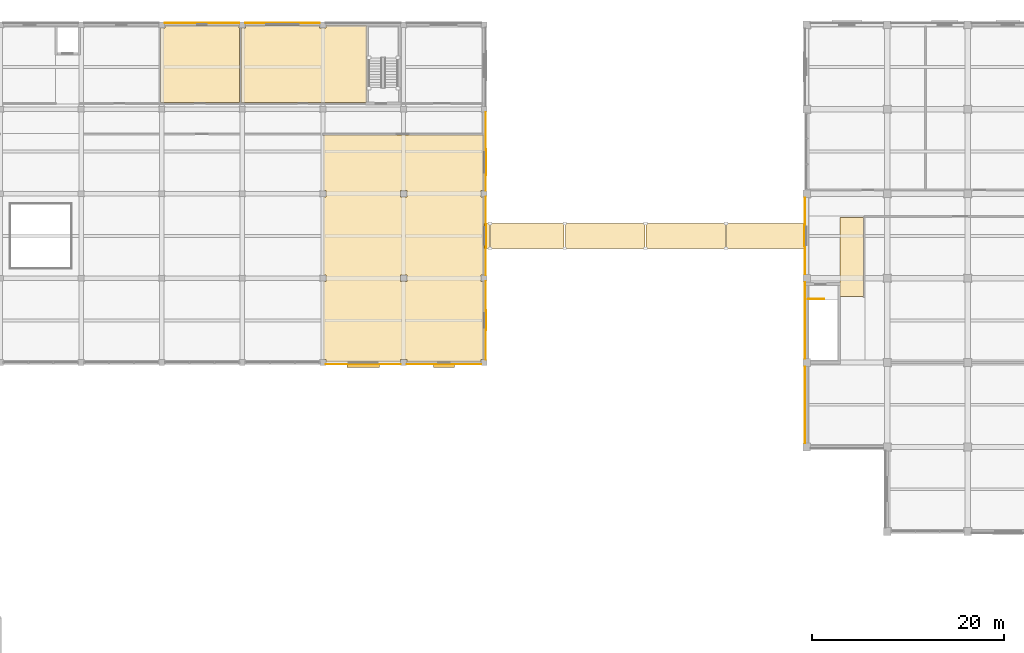
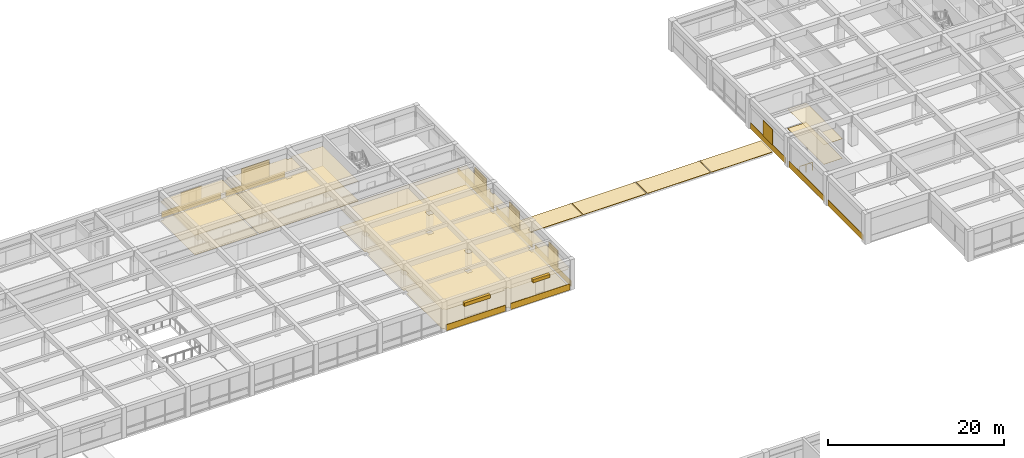
# One storey, part 42 of 46: 23 coverings, 8 shading devices, 1 railing.
"""IFC4 building model written with IfcOpenShell, lengths in metres."""

import ifcopenshell
import ifcopenshell.guid

model = None  # the IFC model being written
_history = None  # IfcOwnerHistory: only IFC2X3 demands one
_inside = {}  # id of a spatial element -> (the spatial element, [elements in it])
_under = {}  # id of a project, library or spatial element -> (it, [spatial elements below it])
_declared = {}  # id of a project -> (the project, [libraries it declares])
_typed = {}  # id of a type object -> (the type object, [elements of that type])
_made_of = {}  # id of a material, layer set ... -> (it, [elements and type objects made of it])


def new_model(schema):
    """Start an empty IFC model of exactly this schema.

    Asked for "IFC4X3", IfcOpenShell would pick the latest addendum, in which some entities
    have other attributes; the version numbers below select the first issue.
    IFC2X3 requires an IfcOwnerHistory on every rooted entity: one is made here for all.
    """
    global model, _history
    if schema == "IFC4X3":
        model = ifcopenshell.file(schema_version=(4, 3, 0, 0))
    else:
        model = ifcopenshell.file(schema=schema)
    _inside.clear()
    _under.clear()
    _declared.clear()
    _typed.clear()
    _made_of.clear()
    _history = None
    if model.schema == "IFC2X3":
        org = make("IfcOrganization", Name="unknown")
        user = make(
            "IfcPersonAndOrganization",
            ThePerson=make("IfcPerson", FamilyName="unknown"),
            TheOrganization=org,
        )
        app = make(
            "IfcApplication",
            ApplicationDeveloper=org,
            Version="unknown",
            ApplicationFullName="unknown",
            ApplicationIdentifier="unknown",
        )
        _history = make(
            "IfcOwnerHistory",
            OwningUser=user,
            OwningApplication=app,
            ChangeAction="ADDED",
            CreationDate=0,
        )
    return model


def make(cls, **values):
    """One entity of the class cls with the attributes given. An attribute that is None is left unset."""
    return model.create_entity(
        cls, **{name: value for name, value in values.items() if value is not None}
    )


def rooted(cls, **values):
    """An entity with a GlobalId (a new one), such as an element, a storey or a relation."""
    return make(cls, GlobalId=ifcopenshell.guid.new(), OwnerHistory=_history, **values)


def si_unit(unit_type, name, prefix=None):
    """IfcSIUnit, for example si_unit("LENGTHUNIT", "METRE", prefix="MILLI")."""
    return make("IfcSIUnit", UnitType=unit_type, Prefix=prefix, Name=name)


def assignment(units):
    """IfcUnitAssignment: the units of a project."""
    return None if units is None else make("IfcUnitAssignment", Units=units)


def point(xyz):
    """IfcCartesianPoint."""
    return None if xyz is None else make("IfcCartesianPoint", Coordinates=xyz)


def direction(xyz):
    """IfcDirection."""
    return None if xyz is None else make("IfcDirection", DirectionRatios=xyz)


def frame(location, z_axis=None, x_axis=None):
    """IfcAxis2Placement3D, a coordinate frame: its origin and axes. An axis left out is left unset."""
    return make(
        "IfcAxis2Placement3D",
        Location=point(location),
        Axis=direction(z_axis),
        RefDirection=direction(x_axis),
    )


def frame_2d(location, x_axis=None):
    """IfcAxis2Placement2D, a coordinate frame in the plane: its origin and x axis."""
    return make(
        "IfcAxis2Placement2D", Location=point(location), RefDirection=direction(x_axis)
    )


def origin():
    """The frame at (0, 0, 0) with its axes left unset."""
    return frame((0.0, 0.0, 0.0))


def origin_2d():
    """The frame at (0, 0) in the plane with its x axis left unset."""
    return frame_2d((0.0, 0.0))


def place(relative_to, where):
    """IfcLocalPlacement: puts the frame where relative to a parent placement (None: the world)."""
    return make(
        "IfcLocalPlacement", PlacementRelTo=relative_to, RelativePlacement=where
    )


def context(
    kind, dimensions, precision=None, world=None, true_north=None, identifier=None
):
    """IfcGeometricRepresentationContext, for example the 3D "Model" context."""
    return make(
        "IfcGeometricRepresentationContext",
        ContextIdentifier=identifier,
        ContextType=kind,
        CoordinateSpaceDimension=dimensions,
        Precision=precision,
        WorldCoordinateSystem=world,
        TrueNorth=true_north,
    )


def subcontext(parent, identifier, kind, view, scale=None):
    """IfcGeometricRepresentationSubContext, for example "Body" below "Model"."""
    return make(
        "IfcGeometricRepresentationSubContext",
        ContextIdentifier=identifier,
        ContextType=kind,
        ParentContext=parent,
        TargetScale=scale,
        TargetView=view,
    )


def project(units=None, contexts=None):
    """IfcProject with its units and contexts."""
    return rooted(
        "IfcProject",
        Name="project",
        RepresentationContexts=contexts,
        UnitsInContext=assignment(units),
    )


def spatial(cls, under=None, at=None, **own):
    """A site, building, storey or space (cls), placed at a placement, below another one or the project."""
    s = rooted(cls, ObjectPlacement=at, **own)
    if under is not None:
        _under.setdefault(under.id(), (under, []))[1].append(s)
    return s


def polyline(points):
    """IfcPolyline through the points."""
    return make("IfcPolyline", Points=[point(p) for p in points])


def profile(cls, at=None, kind="AREA", **sizes):
    """A parametric profile (cls). Its sizes go by their IFC names, for example OverallWidth=200.0."""
    return make(cls, ProfileType=kind, Position=at, **sizes)


def rectangle(**sizes):
    """IfcRectangleProfileDef."""
    return profile("IfcRectangleProfileDef", **sizes)


def circle(**sizes):
    """IfcCircleProfileDef."""
    return profile("IfcCircleProfileDef", **sizes)


def outline(outer, holes=None, kind="AREA"):
    """IfcArbitraryClosedProfileDef: a profile drawn as a closed curve; with holes, ...WithVoids."""
    if holes is None:
        return make("IfcArbitraryClosedProfileDef", ProfileType=kind, OuterCurve=outer)
    return make(
        "IfcArbitraryProfileDefWithVoids",
        ProfileType=kind,
        OuterCurve=outer,
        InnerCurves=holes,
    )


def extrude(swept, where, along, depth):
    """IfcExtrudedAreaSolid: the profile swept, set in the frame where, extruded along a direction by depth."""
    return make(
        "IfcExtrudedAreaSolid",
        SweptArea=swept,
        Position=where,
        ExtrudedDirection=direction(along),
        Depth=depth,
    )


def shape(context_of_items, identifier, shape_type, items):
    """IfcShapeRepresentation: the items that make up one representation, for example the "Body"."""
    return make(
        "IfcShapeRepresentation",
        ContextOfItems=context_of_items,
        RepresentationIdentifier=identifier,
        RepresentationType=shape_type,
        Items=items,
    )


def material(Name=None, Category=None):
    """IfcMaterial."""
    return make("IfcMaterial", Name=Name, Category=Category)


def layer(
    of_material, thickness, ventilated=None, Name=None, Category=None, Priority=None
):
    """IfcMaterialLayer: one layer of a wall or slab, of a material (None: an air gap)."""
    return make(
        "IfcMaterialLayer",
        Material=of_material,
        LayerThickness=thickness,
        IsVentilated=ventilated,
        Name=Name,
        Category=Category,
        Priority=Priority,
    )


def layer_set(layers, Name=None):
    """IfcMaterialLayerSet."""
    return make("IfcMaterialLayerSet", MaterialLayers=layers, LayerSetName=Name)


def made_of(thing, what):
    """Note that an element or type object is made of a material, layer set ...; save() writes the relation."""
    if what is not None:
        _made_of.setdefault(what.id(), (what, []))[1].append(thing)
    return thing


def type_object(cls, material=None, **own):
    """A type object (cls), such as IfcWallType, which elements share."""
    return made_of(rooted(cls, **own), material)


def element(
    cls,
    number,
    at=None,
    inside=None,
    cuts=None,
    type_object=None,
    material=None,
    context=None,
    identifier="Body",
    shape_type=None,
    held_by="IfcProductDefinitionShape",
    body=None,
    shapes=None,
    **own,
):
    """One element of the class cls, such as IfcWall. Its Tag is "e" and its number.

    at: its placement. inside: the storey or other place that contains it. cuts: it is an
    opening in that element (IfcRelVoidsElement). A single representation is given by context,
    identifier, shape_type and body (its items); several are given by shapes. held_by: the class
    of the entity that holds the representations. save() writes the other relations.
    """
    e = rooted(cls, Tag="e%d" % number, ObjectPlacement=at, **own)
    if body is not None:
        shapes = [shape(context, identifier, shape_type, body)]
    if shapes is not None:
        e.Representation = make(held_by, Representations=shapes)
    if inside is not None:
        _inside.setdefault(inside.id(), (inside, []))[1].append(e)
    if cuts is not None:
        rooted(
            "IfcRelVoidsElement", RelatingBuildingElement=cuts, RelatedOpeningElement=e
        )
    if type_object is not None:
        _typed.setdefault(type_object.id(), (type_object, []))[1].append(e)
    return made_of(e, material)


def aggregate(whole, parts):
    """IfcRelAggregates: a whole, such as a stair, and the parts it consists of."""
    return rooted("IfcRelAggregates", RelatingObject=whole, RelatedObjects=parts)


def save(model, path):
    """Write the relations noted so far, then the file.

    IfcRelAggregates (storeys below a building ...), IfcRelContainedInSpatialStructure (elements
    in a storey), IfcRelDefinesByType, IfcRelAssociatesMaterial and IfcRelDeclares: one each for
    every whole, place, type object, material and project.
    """
    for whole, parts in _under.values():
        aggregate(whole, parts)
    for where, things in _inside.values():
        rooted(
            "IfcRelContainedInSpatialStructure",
            RelatedElements=things,
            RelatingStructure=where,
        )
    for kind, things in _typed.values():
        rooted("IfcRelDefinesByType", RelatedObjects=things, RelatingType=kind)
    for what, things in _made_of.values():
        rooted("IfcRelAssociatesMaterial", RelatedObjects=things, RelatingMaterial=what)
    for by, libraries in _declared.values():
        rooted("IfcRelDeclares", RelatingContext=by, RelatedDefinitions=libraries)
    model.write(path)


model = new_model("IFC4")

# Units and contexts
model_context = context("Model", 3, precision=1e-05, world=origin(), true_north=direction((0.0, 1.0)))
body_context = subcontext(model_context, "Body", "Model", "MODEL_VIEW")
ifc_project = project(units=[si_unit("LENGTHUNIT", "METRE"), si_unit("AREAUNIT", "SQUARE_METRE"), si_unit("VOLUMEUNIT", "CUBIC_METRE"), si_unit("PLANEANGLEUNIT", "RADIAN"), si_unit("MASSUNIT", "GRAM", prefix="KILO")], contexts=[model_context])

# Site, building, storey
site_placement = place(None, origin())
site = spatial("IfcSite", under=ifc_project, at=site_placement, CompositionType="ELEMENT")
building_placement = place(site_placement, origin())
building = spatial("IfcBuilding", under=site, at=building_placement, Name="Kemercrest Conservatory and Botanical Centre", CompositionType="ELEMENT")
storey_placement = place(building_placement, frame((0.0, 0.0, 9.0)))
storey = spatial("IfcBuildingStorey", under=building, at=storey_placement, Name="L02", CompositionType="ELEMENT", Elevation=9.0)

# Coverings
ifc_material_1 = material(Name="Honed limestone almasik ashlar rainscreen", Category="masonry")
ifc_layer_1 = layer(ifc_material_1, 0.0400390625)
ifc_layer_set_1 = layer_set([ifc_layer_1], Name="Honed limestone almasik ashlar rainscreen")
covering_type_1 = type_object("IfcCoveringType", Name="CV-CLD040", PredefinedType="CLADDING", material=ifc_layer_set_1)
covering_1_placement = place(storey_placement, origin())
element("IfcCovering", 1, at=covering_1_placement, inside=storey, type_object=covering_type_1, Name="Exterior stone spandrel cladding (WAL:L02:EXT-119)", PredefinedType="CLADDING", context=body_context, shape_type="SweptSolid", body=[
    extrude(outline(polyline([(75.510009765625, 87.050048828125), (75.510009765625, 87.010009765625), (83.2900390625, 87.010009765625), (83.2900390625, 87.050048828125), (75.510009765625, 87.050048828125)])), origin(), (0.0, 0.0, 1.0), 0.85009765625),
])
covering_2_placement = place(storey_placement, origin())
element("IfcCovering", 2, at=covering_2_placement, inside=storey, type_object=covering_type_1, Name="Exterior stone spandrel cladding (WAL:L02:EXT-120)", PredefinedType="CLADDING", context=body_context, shape_type="SweptSolid", body=[
    extrude(outline(polyline([(83.909912109375, 87.050048828125), (83.909912109375, 87.010009765625), (91.68994140625, 87.010009765625), (91.68994140625, 87.050048828125), (83.909912109375, 87.050048828125)])), origin(), (0.0, 0.0, 1.0), 0.85009765625),
])
covering_3_placement = place(storey_placement, origin())
element("IfcCovering", 3, at=covering_3_placement, inside=storey, type_object=covering_type_1, Name="Exterior stone spandrel cladding (WAL:L02:EXT-121)", PredefinedType="CLADDING", context=body_context, shape_type="SweptSolid", body=[
    extrude(outline(polyline([(92.14990234375, 87.510009765625), (92.18994140625, 87.510009765625), (92.18994140625, 95.68994140625), (92.14990234375, 95.68994140625), (92.14990234375, 87.510009765625)])), origin(), (0.0, 0.0, 1.0), 0.85009765625),
])
covering_4_placement = place(storey_placement, origin())
element("IfcCovering", 4, at=covering_4_placement, inside=storey, type_object=covering_type_1, Name="Exterior stone spandrel cladding (WAL:L02:EXT-122)", PredefinedType="CLADDING", context=body_context, shape_type="SweptSolid", body=[
    extrude(outline(polyline([(92.14990234375, 96.31005859375), (92.18994140625, 96.31005859375), (92.18994140625, 104.489990234375), (92.14990234375, 104.489990234375), (92.14990234375, 96.31005859375)])), origin(), (0.0, 0.0, 1.0), 0.85009765625),
])
covering_5_placement = place(storey_placement, origin())
element("IfcCovering", 5, at=covering_5_placement, inside=storey, type_object=covering_type_1, Name="Exterior stone spandrel cladding (WAL:L02:EXT-123)", PredefinedType="CLADDING", context=body_context, shape_type="SweptSolid", body=[
    extrude(outline(polyline([(92.14990234375, 105.110107421875), (92.18994140625, 105.110107421875), (92.18994140625, 113.2900390625), (92.14990234375, 113.2900390625), (92.14990234375, 105.110107421875)])), origin(), (0.0, 0.0, 1.0), 0.85009765625),
])
covering_6_placement = place(storey_placement, origin())
element("IfcCovering", 6, at=covering_6_placement, inside=storey, type_object=covering_type_1, Name="Exterior stone spandrel cladding (WAL:L02:EXT-127)", PredefinedType="CLADDING", context=body_context, shape_type="SweptSolid", body=[
    extrude(outline(polyline([(74.889892578125, 122.550048828125), (74.889892578125, 122.590087890625), (67.110107421875, 122.590087890625), (67.110107421875, 122.550048828125), (74.889892578125, 122.550048828125)])), origin(), (0.0, 0.0, 1.0), 0.85009765625),
])
covering_7_placement = place(storey_placement, origin())
element("IfcCovering", 7, at=covering_7_placement, inside=storey, type_object=covering_type_1, Name="Exterior stone spandrel cladding (WAL:L02:EXT-128)", PredefinedType="CLADDING", context=body_context, shape_type="SweptSolid", body=[
    extrude(outline(polyline([(66.489990234375, 122.550048828125), (66.489990234375, 122.590087890625), (58.7099609375, 122.590087890625), (58.7099609375, 122.550048828125), (66.489990234375, 122.550048828125)])), origin(), (0.0, 0.0, 1.0), 0.85009765625),
])
covering_8_placement = place(storey_placement, origin())
element("IfcCovering", 8, at=covering_8_placement, inside=storey, type_object=covering_type_1, Name="Exterior stone spandrel cladding (WAL:L02:EXT-205)", PredefinedType="CLADDING", context=body_context, shape_type="SweptSolid", body=[
    extrude(outline(polyline([(125.449951171875, 104.389892578125), (125.409912109375, 104.389892578125), (125.409912109375, 96.409912109375), (125.449951171875, 96.409912109375), (125.449951171875, 104.389892578125)])), origin(), (0.0, 0.0, 1.0), 0.85009765625),
])
covering_9_placement = place(storey_placement, origin())
element("IfcCovering", 9, at=covering_9_placement, inside=storey, type_object=covering_type_1, Name="Exterior stone spandrel cladding (WAL:L02:EXT-206)", PredefinedType="CLADDING", context=body_context, shape_type="SweptSolid", body=[
    extrude(outline(polyline([(125.449951171875, 95.590087890625), (125.409912109375, 95.590087890625), (125.409912109375, 87.610107421875), (125.449951171875, 87.610107421875), (125.449951171875, 95.590087890625)])), origin(), (0.0, 0.0, 1.0), 0.85009765625),
])
covering_10_placement = place(storey_placement, origin())
element("IfcCovering", 10, at=covering_10_placement, inside=storey, type_object=covering_type_1, Name="Exterior stone spandrel cladding (WAL:L02:EXT-207)", PredefinedType="CLADDING", context=body_context, shape_type="SweptSolid", body=[
    extrude(outline(polyline([(125.449951171875, 86.7900390625), (125.409912109375, 86.7900390625), (125.409912109375, 78.81005859375), (125.449951171875, 78.81005859375), (125.449951171875, 86.7900390625)])), origin(), (0.0, 0.0, 1.0), 0.85009765625),
])
ifc_material_2 = material(Name="Perforated acoustic gypsum and mineral-fibre suspended ceiling", Category="gypsum")
ifc_layer_2 = layer(ifc_material_2, 0.034912109375)
ifc_layer_set_2 = layer_set([ifc_layer_2], Name="Perforated acoustic gypsum and mineral-fibre suspended ceiling")
covering_type_2 = type_object("IfcCoveringType", Name="CV-CLG035", PredefinedType="CEILING", material=ifc_layer_set_2)
covering_11_placement = place(storey_placement, frame((0.0, 0.0, 2.699951171875)))
element("IfcCovering", 11, at=covering_11_placement, inside=storey, type_object=covering_type_2, Name="Specimen Preparation Laboratory suspended acoustic ceiling", PredefinedType="CEILING", context=body_context, shape_type="SweptSolid", body=[
    extrude(outline(polyline([(83.260009765625, 87.5400390625), (83.93994140625, 87.5400390625), (83.93994140625, 87.280029296875), (91.659912109375, 87.280029296875), (91.659912109375, 87.5400390625), (91.919921875, 87.5400390625), (91.919921875, 95.659912109375), (91.659912109375, 95.659912109375), (91.659912109375, 96.340087890625), (91.919921875, 96.340087890625), (91.919921875, 104.4599609375), (91.659912109375, 104.4599609375), (91.659912109375, 105.139892578125), (91.919921875, 105.139892578125), (91.919921875, 110.919921875), (75.280029296875, 110.919921875), (75.280029296875, 105.139892578125), (75.5400390625, 105.139892578125), (75.5400390625, 104.4599609375), (75.280029296875, 104.4599609375), (75.280029296875, 96.340087890625), (75.5400390625, 96.340087890625), (75.5400390625, 95.659912109375), (75.280029296875, 95.659912109375), (75.280029296875, 87.5400390625), (75.5400390625, 87.5400390625), (75.5400390625, 87.280029296875), (83.260009765625, 87.280029296875), (83.260009765625, 87.5400390625)]), holes=[polyline([(83.93994140625, 95.659912109375), (83.260009765625, 95.659912109375), (83.260009765625, 96.340087890625), (83.93994140625, 96.340087890625), (83.93994140625, 95.659912109375)]), polyline([(83.93994140625, 104.4599609375), (83.260009765625, 104.4599609375), (83.260009765625, 105.139892578125), (83.93994140625, 105.139892578125), (83.93994140625, 104.4599609375)])]), origin(), (0.0, 0.0, 1.0), 0.03515625),
])
covering_12_placement = place(storey_placement, frame((0.0, 0.0, 2.699951171875)))
element("IfcCovering", 12, at=covering_12_placement, inside=storey, type_object=covering_type_2, Name="Accessible Washroom suspended acoustic ceiling", PredefinedType="CEILING", context=body_context, shape_type="SweptSolid", body=[
    extrude(outline(polyline([(58.280029296875, 114.280029296875), (66.52001953125, 114.280029296875), (66.52001953125, 122.06005859375), (66.4599609375, 122.06005859375), (66.4599609375, 122.320068359375), (58.739990234375, 122.320068359375), (58.739990234375, 122.06005859375), (58.280029296875, 122.06005859375), (58.280029296875, 114.280029296875)])), origin(), (0.0, 0.0, 1.0), 0.03515625),
])
covering_13_placement = place(storey_placement, frame((0.0, 0.0, 2.699951171875)))
element("IfcCovering", 13, at=covering_13_placement, inside=storey, type_object=covering_type_2, Name="Exhibition Conservation Studio suspended acoustic ceiling", PredefinedType="CEILING", context=body_context, shape_type="SweptSolid", body=[
    extrude(outline(polyline([(66.679931640625, 114.280029296875), (79.719970703125, 114.280029296875), (79.719970703125, 122.320068359375), (75.5400390625, 122.320068359375), (75.5400390625, 122.06005859375), (74.860107421875, 122.06005859375), (74.860107421875, 122.320068359375), (67.139892578125, 122.320068359375), (67.139892578125, 122.06005859375), (66.679931640625, 122.06005859375), (66.679931640625, 114.280029296875)])), origin(), (0.0, 0.0, 1.0), 0.03515625),
])
covering_14_placement = place(storey_placement, frame((0.0, 0.0, 2.699951171875)))
element("IfcCovering", 14, at=covering_14_placement, inside=storey, type_object=covering_type_2, Name="West Stair Corridor suspended acoustic ceiling", PredefinedType="CEILING", context=body_context, shape_type="SweptSolid", body=[
    extrude(outline(polyline([(129.080078125, 94.080078125), (131.52001953125, 94.080078125), (131.52001953125, 102.320068359375), (129.080078125, 102.320068359375), (129.080078125, 94.080078125)])), origin(), (0.0, 0.0, 1.0), 0.03515625),
])
ifc_material_3 = material(Name="Polished limestone terrazzo and seamless laboratory epoxy flooring", Category="masonry")
ifc_layer_3 = layer(ifc_material_3, 0.02001953125)
ifc_layer_set_3 = layer_set([ifc_layer_3], Name="Polished limestone terrazzo and seamless laboratory epoxy flooring")
covering_type_3 = type_object("IfcCoveringType", Name="CV-FLR020", PredefinedType="FLOORING", material=ifc_layer_set_3)
covering_15_placement = place(storey_placement, origin())
element("IfcCovering", 15, at=covering_15_placement, inside=storey, type_object=covering_type_3, Name="Specimen Preparation Laboratory floor finish", PredefinedType="FLOORING", context=body_context, shape_type="SweptSolid", body=[
    extrude(outline(polyline([(83.260009765625, 87.5400390625), (83.93994140625, 87.5400390625), (83.93994140625, 87.280029296875), (91.659912109375, 87.280029296875), (91.659912109375, 87.5400390625), (91.919921875, 87.5400390625), (91.919921875, 95.659912109375), (91.659912109375, 95.659912109375), (91.659912109375, 96.340087890625), (91.919921875, 96.340087890625), (91.919921875, 104.4599609375), (91.659912109375, 104.4599609375), (91.659912109375, 105.139892578125), (91.919921875, 105.139892578125), (91.919921875, 110.919921875), (75.280029296875, 110.919921875), (75.280029296875, 105.139892578125), (75.5400390625, 105.139892578125), (75.5400390625, 104.4599609375), (75.280029296875, 104.4599609375), (75.280029296875, 96.340087890625), (75.5400390625, 96.340087890625), (75.5400390625, 95.659912109375), (75.280029296875, 95.659912109375), (75.280029296875, 87.5400390625), (75.5400390625, 87.5400390625), (75.5400390625, 87.280029296875), (83.260009765625, 87.280029296875), (83.260009765625, 87.5400390625)]), holes=[polyline([(83.93994140625, 95.659912109375), (83.260009765625, 95.659912109375), (83.260009765625, 96.340087890625), (83.93994140625, 96.340087890625), (83.93994140625, 95.659912109375)]), polyline([(83.93994140625, 104.4599609375), (83.260009765625, 104.4599609375), (83.260009765625, 105.139892578125), (83.93994140625, 105.139892578125), (83.93994140625, 104.4599609375)])]), origin(), (0.0, 0.0, 1.0), 0.02001953125),
])
covering_16_placement = place(storey_placement, origin())
element("IfcCovering", 16, at=covering_16_placement, inside=storey, type_object=covering_type_3, Name="Accessible Washroom floor finish", PredefinedType="FLOORING", context=body_context, shape_type="SweptSolid", body=[
    extrude(outline(polyline([(58.280029296875, 114.280029296875), (66.52001953125, 114.280029296875), (66.52001953125, 122.06005859375), (66.4599609375, 122.06005859375), (66.4599609375, 122.320068359375), (58.739990234375, 122.320068359375), (58.739990234375, 122.06005859375), (58.280029296875, 122.06005859375), (58.280029296875, 114.280029296875)])), origin(), (0.0, 0.0, 1.0), 0.02001953125),
])
covering_17_placement = place(storey_placement, origin())
element("IfcCovering", 17, at=covering_17_placement, inside=storey, type_object=covering_type_3, Name="Exhibition Conservation Studio floor finish", PredefinedType="FLOORING", context=body_context, shape_type="SweptSolid", body=[
    extrude(outline(polyline([(66.679931640625, 114.280029296875), (79.719970703125, 114.280029296875), (79.719970703125, 122.320068359375), (75.5400390625, 122.320068359375), (75.5400390625, 122.06005859375), (74.860107421875, 122.06005859375), (74.860107421875, 122.320068359375), (67.139892578125, 122.320068359375), (67.139892578125, 122.06005859375), (66.679931640625, 122.06005859375), (66.679931640625, 114.280029296875)])), origin(), (0.0, 0.0, 1.0), 0.02001953125),
])
covering_18_placement = place(storey_placement, origin())
element("IfcCovering", 18, at=covering_18_placement, inside=storey, type_object=covering_type_3, Name="West Stair Corridor floor finish", PredefinedType="FLOORING", context=body_context, shape_type="SweptSolid", body=[
    extrude(outline(polyline([(129.080078125, 94.080078125), (131.52001953125, 94.080078125), (131.52001953125, 102.320068359375), (129.080078125, 102.320068359375), (129.080078125, 94.080078125)])), origin(), (0.0, 0.0, 1.0), 0.02001953125),
])
ifc_material_4 = material(Name="SBS modified bitumen insulated roofing membrane", Category="roofing")
ifc_layer_4 = layer(ifc_material_4, 0.06005859375)
ifc_layer_set_4 = layer_set([ifc_layer_4], Name="SBS modified bitumen insulated roofing membrane")
covering_type_4 = type_object("IfcCoveringType", Name="CV-RFG060", PredefinedType="ROOFING", material=ifc_layer_set_4)
covering_19_placement = place(storey_placement, origin())
element("IfcCovering", 19, at=covering_19_placement, inside=storey, type_object=covering_type_4, Name="Insulated roof membrane covering (North Courtyard Covered Passage SJ-3 L02 span 1 slab)", PredefinedType="ROOFING", context=body_context, shape_type="SweptSolid", body=[
    extrude(outline(polyline([(92.0, 99.10009765625), (92.5400390625, 99.10009765625), (92.5400390625, 101.699951171875), (92.0, 101.699951171875), (92.0, 99.10009765625)])), origin(), (0.0, 0.0, 1.0), 0.06005859375),
])
covering_20_placement = place(storey_placement, origin())
element("IfcCovering", 20, at=covering_20_placement, inside=storey, type_object=covering_type_4, Name="Insulated roof membrane covering (North Courtyard Covered Passage SJ-3 L02 span 2 slab)", PredefinedType="ROOFING", context=body_context, shape_type="SweptSolid", body=[
    extrude(outline(polyline([(92.659912109375, 99.10009765625), (100.340087890625, 99.10009765625), (100.340087890625, 101.699951171875), (92.659912109375, 101.699951171875), (92.659912109375, 99.10009765625)])), origin(), (0.0, 0.0, 1.0), 0.06005859375),
])
covering_21_placement = place(storey_placement, origin())
element("IfcCovering", 21, at=covering_21_placement, inside=storey, type_object=covering_type_4, Name="Insulated roof membrane covering (North Courtyard Covered Passage SJ-3 L02 span 3 slab)", PredefinedType="ROOFING", context=body_context, shape_type="SweptSolid", body=[
    extrude(outline(polyline([(100.4599609375, 99.10009765625), (108.739990234375, 99.10009765625), (108.739990234375, 101.699951171875), (100.4599609375, 101.699951171875), (100.4599609375, 99.10009765625)])), origin(), (0.0, 0.0, 1.0), 0.06005859375),
])
covering_22_placement = place(storey_placement, origin())
element("IfcCovering", 22, at=covering_22_placement, inside=storey, type_object=covering_type_4, Name="Insulated roof membrane covering (North Courtyard Covered Passage SJ-3 L02 span 4 slab)", PredefinedType="ROOFING", context=body_context, shape_type="SweptSolid", body=[
    extrude(outline(polyline([(108.860107421875, 99.10009765625), (117.139892578125, 99.10009765625), (117.139892578125, 101.699951171875), (108.860107421875, 101.699951171875), (108.860107421875, 99.10009765625)])), origin(), (0.0, 0.0, 1.0), 0.06005859375),
])
covering_23_placement = place(storey_placement, origin())
element("IfcCovering", 23, at=covering_23_placement, inside=storey, type_object=covering_type_4, Name="Insulated roof membrane covering (North Courtyard Covered Passage SJ-3 L02 span 5 slab)", PredefinedType="ROOFING", context=body_context, shape_type="SweptSolid", body=[
    extrude(outline(polyline([(117.260009765625, 99.10009765625), (125.25, 99.10009765625), (125.25, 101.699951171875), (117.260009765625, 101.699951171875), (117.260009765625, 99.10009765625)])), origin(), (0.0, 0.0, 1.0), 0.06005859375),
])

# Railing
ifc_material_5 = material(Name="Painted galvanized steel tubular stair guardrail", Category="steel")
railing_type = type_object("IfcRailingType", Name="GR-STR110", PredefinedType="GUARDRAIL", material=ifc_material_5)
railing_placement = place(storey_placement, frame((125.760009765625, 93.81005859375, 0.0)))
element("IfcRailing", 24, at=railing_placement, inside=storey, type_object=railing_type, Name="L02 ST-V4C top well guard 1", PredefinedType="GUARDRAIL", context=body_context, shape_type="SweptSolid", body=[
    extrude(circle(Radius=0.02392578125, at=origin_2d()), frame((0.0, 0.0, 1.076171875), z_axis=(1.0, 0.0, 0.0), x_axis=(0.0, 1.0, 0.0)), (0.0, 0.0, 1.0), 1.679931640625),
    extrude(circle(Radius=0.02099609375, at=origin_2d()), origin(), (0.0, 0.0, 1.0), 1.052001953125),
    extrude(circle(Radius=0.02099609375, at=origin_2d()), frame((0.83984375, 0.0, 0.0)), (0.0, 0.0, 1.0), 1.052001953125),
    extrude(circle(Radius=0.02099609375, at=origin_2d()), frame((1.679931640625, 0.0, 0.0)), (0.0, 0.0, 1.0), 1.052001953125),
])

# Shading devices
ifc_material_6 = material(Name="Architectural bronze-anodized extruded aluminium", Category="aluminium")
shading_device_type_1 = type_object("IfcShadingDeviceType", Name="SH-JL01", PredefinedType="JALOUSIE", material=ifc_material_6)
shading_device_1_placement = place(storey_placement, frame((87.800048828125, 86.876953125, 2.90478515625), z_axis=(0.0, 0.0, 1.0), x_axis=(1.0, 0.0, 0.0)))
element("IfcShadingDevice", 25, at=shading_device_1_placement, inside=storey, type_object=shading_device_type_1, Name="Solar control louvre visor SH-JL01 (WIN:L02:EXT-120)", PredefinedType="JALOUSIE", context=body_context, shape_type="SweptSolid", body=[
    extrude(rectangle(XDim=2.199951171875, YDim=0.35009765625, at=origin_2d()), origin(), (0.0, 0.0, 1.0), 0.449951171875),
])
shading_device_type_2 = type_object("IfcShadingDeviceType", Name="SH-JL05", PredefinedType="JALOUSIE", material=ifc_material_6)
shading_device_2_placement = place(storey_placement, frame((79.39990234375, 86.876953125, 2.780029296875), z_axis=(0.0, 0.0, 1.0), x_axis=(1.0, 0.0, 0.0)))
element("IfcShadingDevice", 26, at=shading_device_2_placement, inside=storey, type_object=shading_device_type_2, Name="Solar control louvre visor SH-JL05 (WIN:L02:EXT-119)", PredefinedType="JALOUSIE", context=body_context, shape_type="SweptSolid", body=[
    extrude(rectangle(XDim=3.39990234375, YDim=0.35009765625, at=origin_2d()), origin(), (0.0, 0.0, 1.0), 0.5),
])
ifc_material_7 = material(Name="Perforated bronze-anodized aluminium", Category="aluminium")
shading_device_type_3 = type_object("IfcShadingDeviceType", Name="SH-MS01", PredefinedType="USERDEFINED", material=ifc_material_7)
shading_device_3_placement = place(storey_placement, frame((125.412109375, 100.39990234375, 0.81982421875), z_axis=(0.0, 0.0, 1.0), x_axis=(0.0, -1.0, 0.0)))
element("IfcShadingDevice", 27, at=shading_device_3_placement, inside=storey, type_object=shading_device_type_3, Name="Ottoman mashrabiya perforated screen SH-MS01 (WIN:L02:EXT-205)", ObjectType="MASHRABIYA SCREEN", PredefinedType="USERDEFINED", context=body_context, shape_type="SweptSolid", body=[
    extrude(rectangle(XDim=2.199951171875, YDim=0.080078125, at=origin_2d()), origin(), (0.0, 0.0, 1.0), 2.139892578125),
])
shading_device_type_4 = type_object("IfcShadingDeviceType", Name="SH-MS02", PredefinedType="USERDEFINED", material=ifc_material_7)
shading_device_4_placement = place(storey_placement, frame((92.18798828125, 91.60009765625, 0.85009765625), z_axis=(0.0, 0.0, 1.0), x_axis=(0.0, 1.0, 0.0)))
element("IfcShadingDevice", 28, at=shading_device_4_placement, inside=storey, type_object=shading_device_type_4, Name="Ottoman mashrabiya perforated screen SH-MS02 (WIN:L02:EXT-121)", ObjectType="MASHRABIYA SCREEN", PredefinedType="USERDEFINED", context=body_context, shape_type="SweptSolid", body=[
    extrude(rectangle(XDim=2.10009765625, YDim=0.080078125, at=origin_2d()), origin(), (0.0, 0.0, 1.0), 2.300048828125),
])
shading_device_type_5 = type_object("IfcShadingDeviceType", Name="SH-MS03", PredefinedType="USERDEFINED", material=ifc_material_7)
shading_device_5_placement = place(storey_placement, frame((92.18798828125, 100.39990234375, 0.824951171875), z_axis=(0.0, 0.0, 1.0), x_axis=(0.0, 1.0, 0.0)))
element("IfcShadingDevice", 29, at=shading_device_5_placement, inside=storey, type_object=shading_device_type_5, Name="Ottoman mashrabiya perforated screen SH-MS03 (WIN:L02:EXT-122)", ObjectType="MASHRABIYA SCREEN", PredefinedType="USERDEFINED", context=body_context, shape_type="SweptSolid", body=[
    extrude(rectangle(XDim=2.39990234375, YDim=0.080078125, at=origin_2d()), origin(), (0.0, 0.0, 1.0), 2.39990234375),
])
shading_device_6_placement = place(storey_placement, frame((71.0, 122.587890625, 0.820068359375), z_axis=(0.0, 0.0, 1.0), x_axis=(-1.0, 0.0, 0.0)))
element("IfcShadingDevice", 30, at=shading_device_6_placement, inside=storey, type_object=shading_device_type_5, Name="Ottoman mashrabiya perforated screen SH-MS03 (WIN:L02:EXT-127)", ObjectType="MASHRABIYA SCREEN", PredefinedType="USERDEFINED", context=body_context, shape_type="SweptSolid", body=[
    extrude(rectangle(XDim=3.679931640625, YDim=0.080078125, at=origin_2d()), origin(), (0.0, 0.0, 1.0), 2.31005859375),
])
shading_device_type_6 = type_object("IfcShadingDeviceType", Name="SH-MS04", PredefinedType="USERDEFINED", material=ifc_material_7)
shading_device_7_placement = place(storey_placement, frame((92.18798828125, 108.054931640625, 0.820068359375), z_axis=(0.0, 0.0, 1.0), x_axis=(0.0, 1.0, 0.0)))
element("IfcShadingDevice", 31, at=shading_device_7_placement, inside=storey, type_object=shading_device_type_6, Name="Ottoman mashrabiya perforated screen SH-MS04 (WIN:L02:EXT-123)", ObjectType="MASHRABIYA SCREEN", PredefinedType="USERDEFINED", context=body_context, shape_type="SweptSolid", body=[
    extrude(rectangle(XDim=2.699951171875, YDim=0.080078125, at=origin_2d()), origin(), (0.0, 0.0, 1.0), 2.4599609375),
])
shading_device_8_placement = place(storey_placement, frame((62.60009765625, 122.587890625, 0.81982421875), z_axis=(0.0, 0.0, 1.0), x_axis=(-1.0, 0.0, 0.0)))
element("IfcShadingDevice", 32, at=shading_device_8_placement, inside=storey, type_object=shading_device_type_6, Name="Ottoman mashrabiya perforated screen SH-MS04 (WIN:L02:EXT-128)", ObjectType="MASHRABIYA SCREEN", PredefinedType="USERDEFINED", context=body_context, shape_type="SweptSolid", body=[
    extrude(rectangle(XDim=2.699951171875, YDim=0.080078125, at=origin_2d()), origin(), (0.0, 0.0, 1.0), 1.760009765625),
])

save(model, "model.ifc")
